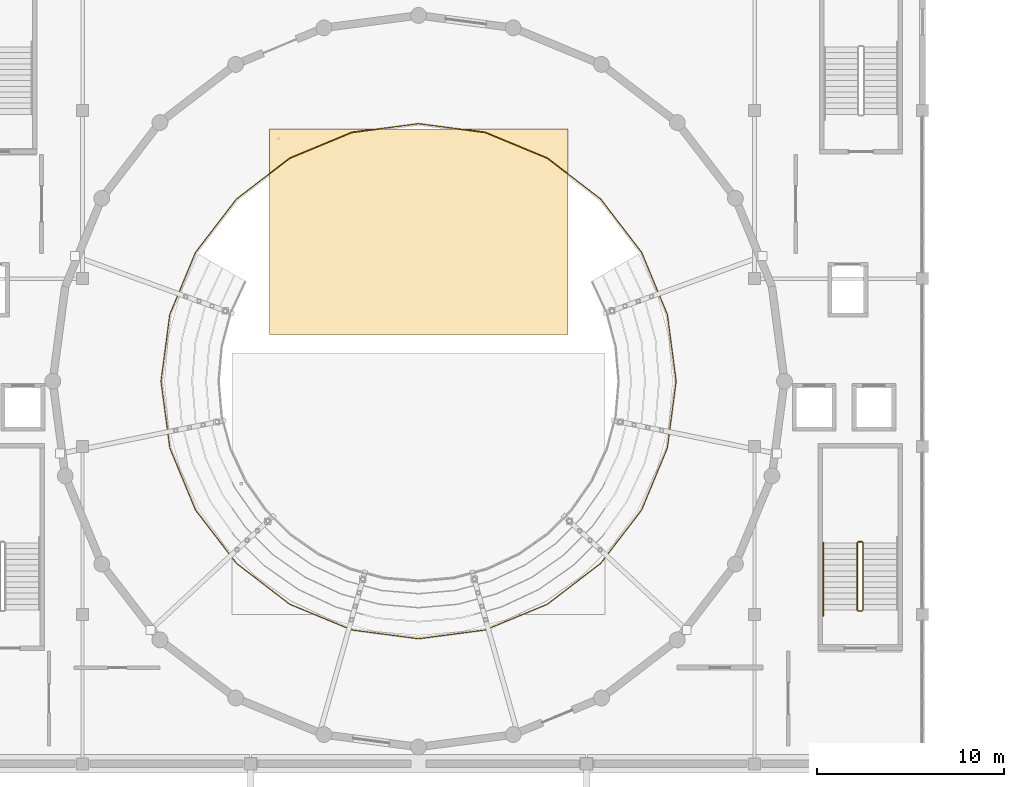
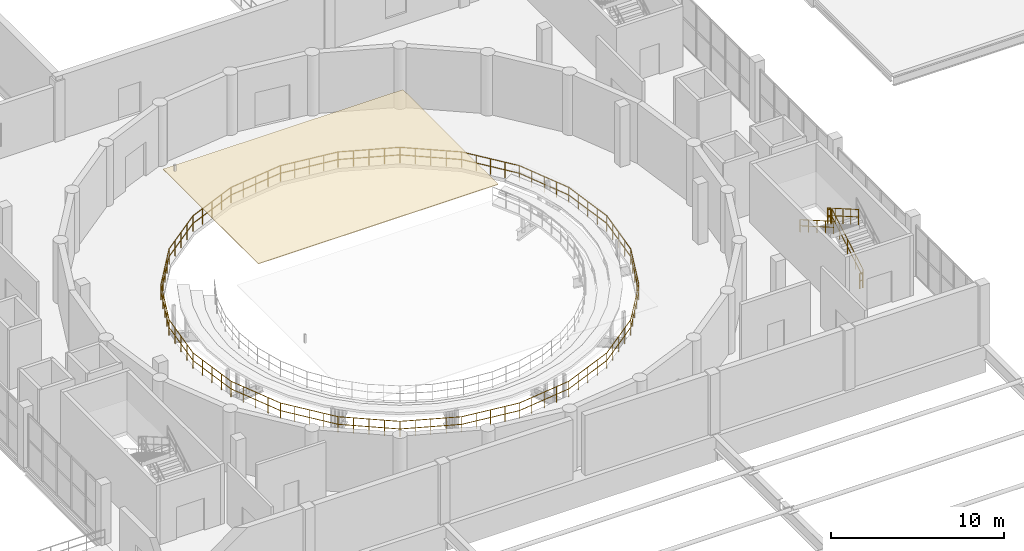
# One storey, part 50 of 54: 6 railings, 1 covering.
"""IFC4 building model written with IfcOpenShell, lengths in metres."""

from ifc_helpers import new_model, si_unit, direction, frame, origin, origin_2d, place, context, subcontext, project, spatial, polyline, circle, outline, extrude, material, layer, layer_set, type_object, element, save


model = new_model("IFC4")

# Units and contexts
model_context = context("Model", 3, precision=1e-05, world=origin(), true_north=direction((0.0, 1.0)))
body_context = subcontext(model_context, "Body", "Model", "MODEL_VIEW")
ifc_project = project(units=[si_unit("LENGTHUNIT", "METRE"), si_unit("AREAUNIT", "SQUARE_METRE"), si_unit("VOLUMEUNIT", "CUBIC_METRE"), si_unit("PLANEANGLEUNIT", "RADIAN"), si_unit("MASSUNIT", "GRAM", prefix="KILO")], contexts=[model_context])

# Site, building, storey
site_placement = place(None, origin())
site = spatial("IfcSite", under=ifc_project, at=site_placement, CompositionType="ELEMENT")
building_placement = place(site_placement, origin())
building = spatial("IfcBuilding", under=site, at=building_placement, Name="Marnock Terrace Opera House", CompositionType="ELEMENT")
storey_placement = place(building_placement, frame((0.0, 0.0, 19.199951171875)))
storey = spatial("IfcBuildingStorey", under=building, at=storey_placement, Name="L04", CompositionType="ELEMENT", Elevation=19.199951171875)

# Covering
ifc_material_1 = material(Name="Perforated Tasmanian oak acoustic ceiling reflector")
ifc_layer = layer(ifc_material_1, 0.044921875)
ifc_layer_set = layer_set([ifc_layer], Name="Perforated Tasmanian oak acoustic ceiling reflector")
covering_type = type_object("IfcCoveringType", Name="COV-CEIL-OAK", PredefinedType="CEILING", material=ifc_layer_set)
covering_placement = place(storey_placement, frame((0.0, 0.0, 3.800048828125)))
element("IfcCovering", 1, at=covering_placement, inside=storey, type_object=covering_type, Name="L04 acoustic reflector ceiling CLG-AUD-CLOUD2", PredefinedType="CEILING", context=body_context, shape_type="SweptSolid", body=[
    extrude(outline(polyline([(74.0, 63.0), (90.0, 63.0), (90.0, 74.0), (74.0, 74.0), (74.0, 63.0)])), origin(), (0.0, 0.0, 1.0), 0.044921875),
])

# Railings
ifc_material_2 = material(Name="Architectural bronze balustrade")
railing_type_1 = type_object("IfcRailingType", Name="RL-ATRIUM-1120", PredefinedType="BALUSTRADE", material=ifc_material_2)
railing_1_placement = place(storey_placement, frame((95.800048828125, 60.5, 0.0)))
element("IfcRailing", 2, at=railing_1_placement, inside=storey, type_object=railing_type_1, Name="L04 floor opening balustrade AUD-BOWL", PredefinedType="BALUSTRADE", context=body_context, shape_type="SweptSolid", body=[
    extrude(circle(Radius=0.02392578125, at=origin_2d()), frame((0.0, 0.0, 1.09619140625), z_axis=(-0.130445747989, 0.991455448738, 0.0), x_axis=(-0.991455448738, -0.130445747989, 0.0)), (0.0, 0.0, 1.0), 3.602783203125),
    extrude(circle(Radius=0.02392578125, at=origin_2d()), frame((0.0, 0.0, 0.56005859375), z_axis=(-0.130445747989, 0.991455448738, 0.0), x_axis=(-0.991455448738, -0.130445747989, 0.0)), (0.0, 0.0, 1.0), 3.602783203125),
    extrude(circle(Radius=0.02392578125, at=origin_2d()), frame((-0.469970703125, 3.572021484375, 1.09619140625), z_axis=(-0.382848577482, 0.92381110987, 0.0), x_axis=(-0.92381110987, -0.382848577482, 0.0)), (0.0, 0.0, 1.0), 3.602294921875),
    extrude(circle(Radius=0.02392578125, at=origin_2d()), frame((-0.469970703125, 3.572021484375, 0.56005859375), z_axis=(-0.382848577482, 0.92381110987, 0.0), x_axis=(-0.92381110987, -0.382848577482, 0.0)), (0.0, 0.0, 1.0), 3.602294921875),
    extrude(circle(Radius=0.02392578125, at=origin_2d()), frame((-1.84912109375, 6.89990234375, 1.09619140625), z_axis=(-0.608714632919, 0.793389246001, 0.0), x_axis=(-0.793389246001, -0.608714632919, 0.0)), (0.0, 0.0, 1.0), 3.6025390625),
    extrude(circle(Radius=0.02392578125, at=origin_2d()), frame((-1.84912109375, 6.89990234375, 0.56005859375), z_axis=(-0.608714632919, 0.793389246001, 0.0), x_axis=(-0.793389246001, -0.608714632919, 0.0)), (0.0, 0.0, 1.0), 3.6025390625),
    extrude(circle(Radius=0.02392578125, at=origin_2d()), frame((-4.0419921875, 9.758056640625, 1.09619140625), z_axis=(-0.793389246001, 0.608714632919, 0.0), x_axis=(-0.608714632919, -0.793389246001, 0.0)), (0.0, 0.0, 1.0), 3.6025390625),
    extrude(circle(Radius=0.02392578125, at=origin_2d()), frame((-4.0419921875, 9.758056640625, 0.56005859375), z_axis=(-0.793389246001, 0.608714632919, 0.0), x_axis=(-0.608714632919, -0.793389246001, 0.0)), (0.0, 0.0, 1.0), 3.6025390625),
    extrude(circle(Radius=0.02392578125, at=origin_2d()), frame((-6.900146484375, 11.950927734375, 1.09619140625), z_axis=(-0.92381110987, 0.382848577482, 0.0), x_axis=(-0.382848577482, -0.92381110987, 0.0)), (0.0, 0.0, 1.0), 3.602294921875),
    extrude(circle(Radius=0.02392578125, at=origin_2d()), frame((-6.900146484375, 11.950927734375, 0.56005859375), z_axis=(-0.92381110987, 0.382848577482, 0.0), x_axis=(-0.382848577482, -0.92381110987, 0.0)), (0.0, 0.0, 1.0), 3.602294921875),
    extrude(circle(Radius=0.02392578125, at=origin_2d()), frame((-10.22802734375, 13.330078125, 1.09619140625), z_axis=(-0.991455448738, 0.130445747989, 0.0), x_axis=(-0.130445747989, -0.991455448738, 0.0)), (0.0, 0.0, 1.0), 3.602783203125),
    extrude(circle(Radius=0.02392578125, at=origin_2d()), frame((-10.22802734375, 13.330078125, 0.56005859375), z_axis=(-0.991455448738, 0.130445747989, 0.0), x_axis=(-0.130445747989, -0.991455448738, 0.0)), (0.0, 0.0, 1.0), 3.602783203125),
    extrude(circle(Radius=0.02392578125, at=origin_2d()), frame((-13.800048828125, 13.800048828125, 1.09619140625), z_axis=(-0.991455448738, -0.130445747989, 0.0), x_axis=(0.130445747989, -0.991455448738, 0.0)), (0.0, 0.0, 1.0), 3.602783203125),
    extrude(circle(Radius=0.02392578125, at=origin_2d()), frame((-13.800048828125, 13.800048828125, 0.56005859375), z_axis=(-0.991455448738, -0.130445747989, 0.0), x_axis=(0.130445747989, -0.991455448738, 0.0)), (0.0, 0.0, 1.0), 3.602783203125),
    extrude(circle(Radius=0.02392578125, at=origin_2d()), frame((-17.3720703125, 13.330078125, 1.09619140625), z_axis=(-0.92381110987, -0.382848577482, 0.0), x_axis=(0.382848577482, -0.92381110987, 0.0)), (0.0, 0.0, 1.0), 3.602294921875),
    extrude(circle(Radius=0.02392578125, at=origin_2d()), frame((-17.3720703125, 13.330078125, 0.56005859375), z_axis=(-0.92381110987, -0.382848577482, 0.0), x_axis=(0.382848577482, -0.92381110987, 0.0)), (0.0, 0.0, 1.0), 3.602294921875),
    extrude(circle(Radius=0.02392578125, at=origin_2d()), frame((-20.699951171875, 11.950927734375, 1.09619140625), z_axis=(-0.793389246001, -0.608714632919, 0.0), x_axis=(0.608714632919, -0.793389246001, 0.0)), (0.0, 0.0, 1.0), 3.6025390625),
    extrude(circle(Radius=0.02392578125, at=origin_2d()), frame((-20.699951171875, 11.950927734375, 0.56005859375), z_axis=(-0.793389246001, -0.608714632919, 0.0), x_axis=(0.608714632919, -0.793389246001, 0.0)), (0.0, 0.0, 1.0), 3.6025390625),
    extrude(circle(Radius=0.02392578125, at=origin_2d()), frame((-23.55810546875, 9.758056640625, 1.09619140625), z_axis=(-0.608714632919, -0.793389246001, 0.0), x_axis=(0.793389246001, -0.608714632919, 0.0)), (0.0, 0.0, 1.0), 3.6025390625),
    extrude(circle(Radius=0.02392578125, at=origin_2d()), frame((-23.55810546875, 9.758056640625, 0.56005859375), z_axis=(-0.608714632919, -0.793389246001, 0.0), x_axis=(0.793389246001, -0.608714632919, 0.0)), (0.0, 0.0, 1.0), 3.6025390625),
    extrude(circle(Radius=0.02392578125, at=origin_2d()), frame((-25.7509765625, 6.89990234375, 1.09619140625), z_axis=(-0.382848577482, -0.92381110987, 0.0), x_axis=(0.92381110987, -0.382848577482, 0.0)), (0.0, 0.0, 1.0), 3.602294921875),
    extrude(circle(Radius=0.02392578125, at=origin_2d()), frame((-25.7509765625, 6.89990234375, 0.56005859375), z_axis=(-0.382848577482, -0.92381110987, 0.0), x_axis=(0.92381110987, -0.382848577482, 0.0)), (0.0, 0.0, 1.0), 3.602294921875),
    extrude(circle(Radius=0.02392578125, at=origin_2d()), frame((-27.130126953125, 3.572021484375, 1.09619140625), z_axis=(-0.130445747989, -0.991455448738, 0.0), x_axis=(0.991455448738, -0.130445747989, 0.0)), (0.0, 0.0, 1.0), 3.602783203125),
    extrude(circle(Radius=0.02392578125, at=origin_2d()), frame((-27.130126953125, 3.572021484375, 0.56005859375), z_axis=(-0.130445747989, -0.991455448738, 0.0), x_axis=(0.991455448738, -0.130445747989, 0.0)), (0.0, 0.0, 1.0), 3.602783203125),
    extrude(circle(Radius=0.02392578125, at=origin_2d()), frame((-27.60009765625, 0.0, 1.09619140625), z_axis=(0.130445747989, -0.991455448738, 0.0), x_axis=(0.991455448738, 0.130445747989, 0.0)), (0.0, 0.0, 1.0), 3.602783203125),
    extrude(circle(Radius=0.02392578125, at=origin_2d()), frame((-27.60009765625, 0.0, 0.56005859375), z_axis=(0.130445747989, -0.991455448738, 0.0), x_axis=(0.991455448738, 0.130445747989, 0.0)), (0.0, 0.0, 1.0), 3.602783203125),
    extrude(circle(Radius=0.02392578125, at=origin_2d()), frame((-27.130126953125, -3.572021484375, 1.09619140625), z_axis=(0.382848577482, -0.92381110987, 0.0), x_axis=(0.92381110987, 0.382848577482, 0.0)), (0.0, 0.0, 1.0), 3.602294921875),
    extrude(circle(Radius=0.02392578125, at=origin_2d()), frame((-27.130126953125, -3.572021484375, 0.56005859375), z_axis=(0.382848577482, -0.92381110987, 0.0), x_axis=(0.92381110987, 0.382848577482, 0.0)), (0.0, 0.0, 1.0), 3.602294921875),
    extrude(circle(Radius=0.02392578125, at=origin_2d()), frame((-25.7509765625, -6.89990234375, 1.09619140625), z_axis=(0.608714632919, -0.793389246001, 0.0), x_axis=(0.793389246001, 0.608714632919, 0.0)), (0.0, 0.0, 1.0), 3.6025390625),
    extrude(circle(Radius=0.02392578125, at=origin_2d()), frame((-25.7509765625, -6.89990234375, 0.56005859375), z_axis=(0.608714632919, -0.793389246001, 0.0), x_axis=(0.793389246001, 0.608714632919, 0.0)), (0.0, 0.0, 1.0), 3.6025390625),
    extrude(circle(Radius=0.02392578125, at=origin_2d()), frame((-23.55810546875, -9.758056640625, 1.09619140625), z_axis=(0.793389246001, -0.608714632919, 0.0), x_axis=(0.608714632919, 0.793389246001, 0.0)), (0.0, 0.0, 1.0), 3.6025390625),
    extrude(circle(Radius=0.02392578125, at=origin_2d()), frame((-23.55810546875, -9.758056640625, 0.56005859375), z_axis=(0.793389246001, -0.608714632919, 0.0), x_axis=(0.608714632919, 0.793389246001, 0.0)), (0.0, 0.0, 1.0), 3.6025390625),
    extrude(circle(Radius=0.02392578125, at=origin_2d()), frame((-20.699951171875, -11.950927734375, 1.09619140625), z_axis=(0.92381110987, -0.382848577482, 0.0), x_axis=(0.382848577482, 0.92381110987, 0.0)), (0.0, 0.0, 1.0), 3.602294921875),
    extrude(circle(Radius=0.02392578125, at=origin_2d()), frame((-20.699951171875, -11.950927734375, 0.56005859375), z_axis=(0.92381110987, -0.382848577482, 0.0), x_axis=(0.382848577482, 0.92381110987, 0.0)), (0.0, 0.0, 1.0), 3.602294921875),
    extrude(circle(Radius=0.02392578125, at=origin_2d()), frame((-17.3720703125, -13.330078125, 1.09619140625), z_axis=(0.991455448738, -0.130445747989, 0.0), x_axis=(0.130445747989, 0.991455448738, 0.0)), (0.0, 0.0, 1.0), 3.602783203125),
    extrude(circle(Radius=0.02392578125, at=origin_2d()), frame((-17.3720703125, -13.330078125, 0.56005859375), z_axis=(0.991455448738, -0.130445747989, 0.0), x_axis=(0.130445747989, 0.991455448738, 0.0)), (0.0, 0.0, 1.0), 3.602783203125),
    extrude(circle(Radius=0.02392578125, at=origin_2d()), frame((-13.800048828125, -13.800048828125, 1.09619140625), z_axis=(0.991455448738, 0.130445747989, 0.0), x_axis=(-0.130445747989, 0.991455448738, 0.0)), (0.0, 0.0, 1.0), 3.602783203125),
    extrude(circle(Radius=0.02392578125, at=origin_2d()), frame((-13.800048828125, -13.800048828125, 0.56005859375), z_axis=(0.991455448738, 0.130445747989, 0.0), x_axis=(-0.130445747989, 0.991455448738, 0.0)), (0.0, 0.0, 1.0), 3.602783203125),
    extrude(circle(Radius=0.02392578125, at=origin_2d()), frame((-10.22802734375, -13.330078125, 1.09619140625), z_axis=(0.92381110987, 0.382848577482, 0.0), x_axis=(-0.382848577482, 0.92381110987, 0.0)), (0.0, 0.0, 1.0), 3.602294921875),
    extrude(circle(Radius=0.02392578125, at=origin_2d()), frame((-10.22802734375, -13.330078125, 0.56005859375), z_axis=(0.92381110987, 0.382848577482, 0.0), x_axis=(-0.382848577482, 0.92381110987, 0.0)), (0.0, 0.0, 1.0), 3.602294921875),
    extrude(circle(Radius=0.02392578125, at=origin_2d()), frame((-6.900146484375, -11.950927734375, 1.09619140625), z_axis=(0.793389246001, 0.608714632919, 0.0), x_axis=(-0.608714632919, 0.793389246001, 0.0)), (0.0, 0.0, 1.0), 3.6025390625),
    extrude(circle(Radius=0.02392578125, at=origin_2d()), frame((-6.900146484375, -11.950927734375, 0.56005859375), z_axis=(0.793389246001, 0.608714632919, 0.0), x_axis=(-0.608714632919, 0.793389246001, 0.0)), (0.0, 0.0, 1.0), 3.6025390625),
    extrude(circle(Radius=0.02392578125, at=origin_2d()), frame((-4.0419921875, -9.758056640625, 1.09619140625), z_axis=(0.608714632919, 0.793389246001, 0.0), x_axis=(-0.793389246001, 0.608714632919, 0.0)), (0.0, 0.0, 1.0), 3.6025390625),
    extrude(circle(Radius=0.02392578125, at=origin_2d()), frame((-4.0419921875, -9.758056640625, 0.56005859375), z_axis=(0.608714632919, 0.793389246001, 0.0), x_axis=(-0.793389246001, 0.608714632919, 0.0)), (0.0, 0.0, 1.0), 3.6025390625),
    extrude(circle(Radius=0.02392578125, at=origin_2d()), frame((-1.84912109375, -6.89990234375, 1.09619140625), z_axis=(0.382848577482, 0.92381110987, 0.0), x_axis=(-0.92381110987, 0.382848577482, 0.0)), (0.0, 0.0, 1.0), 3.602294921875),
    extrude(circle(Radius=0.02392578125, at=origin_2d()), frame((-1.84912109375, -6.89990234375, 0.56005859375), z_axis=(0.382848577482, 0.92381110987, 0.0), x_axis=(-0.92381110987, 0.382848577482, 0.0)), (0.0, 0.0, 1.0), 3.602294921875),
    extrude(circle(Radius=0.02392578125, at=origin_2d()), frame((-0.469970703125, -3.572021484375, 1.09619140625), z_axis=(0.130445747989, 0.991455448738, 0.0), x_axis=(-0.991455448738, 0.130445747989, 0.0)), (0.0, 0.0, 1.0), 3.602783203125),
    extrude(circle(Radius=0.02392578125, at=origin_2d()), frame((-0.469970703125, -3.572021484375, 0.56005859375), z_axis=(0.130445747989, 0.991455448738, 0.0), x_axis=(-0.991455448738, 0.130445747989, 0.0)), (0.0, 0.0, 1.0), 3.602783203125),
    extrude(circle(Radius=0.02099609375, at=origin_2d()), origin(), (0.0, 0.0, 1.0), 1.072021484375),
    extrude(circle(Radius=0.02099609375, at=origin_2d()), frame((-0.117431640625, 0.89306640625, 0.0)), (0.0, 0.0, 1.0), 1.072021484375),
    extrude(circle(Radius=0.02099609375, at=origin_2d()), frame((-0.23486328125, 1.7861328125, 0.0)), (0.0, 0.0, 1.0), 1.072021484375),
    extrude(circle(Radius=0.02099609375, at=origin_2d()), frame((-0.3525390625, 2.678955078125, 0.0)), (0.0, 0.0, 1.0), 1.072021484375),
    extrude(circle(Radius=0.02099609375, at=origin_2d()), frame((-0.469970703125, 3.572021484375, 0.0)), (0.0, 0.0, 1.0), 1.072021484375),
    extrude(circle(Radius=0.02099609375, at=origin_2d()), frame((-0.814697265625, 4.404052734375, 0.0)), (0.0, 0.0, 1.0), 1.072021484375),
    extrude(circle(Radius=0.02099609375, at=origin_2d()), frame((-1.15966796875, 5.23583984375, 0.0)), (0.0, 0.0, 1.0), 1.072021484375),
    extrude(circle(Radius=0.02099609375, at=origin_2d()), frame((-1.50439453125, 6.06787109375, 0.0)), (0.0, 0.0, 1.0), 1.072021484375),
    extrude(circle(Radius=0.02099609375, at=origin_2d()), frame((-1.84912109375, 6.89990234375, 0.0)), (0.0, 0.0, 1.0), 1.072021484375),
    extrude(circle(Radius=0.02099609375, at=origin_2d()), frame((-2.3974609375, 7.614501953125, 0.0)), (0.0, 0.0, 1.0), 1.072021484375),
    extrude(circle(Radius=0.02099609375, at=origin_2d()), frame((-2.945556640625, 8.3291015625, 0.0)), (0.0, 0.0, 1.0), 1.072021484375),
    extrude(circle(Radius=0.02099609375, at=origin_2d()), frame((-3.49365234375, 9.04345703125, 0.0)), (0.0, 0.0, 1.0), 1.072021484375),
    extrude(circle(Radius=0.02099609375, at=origin_2d()), frame((-4.0419921875, 9.758056640625, 0.0)), (0.0, 0.0, 1.0), 1.072021484375),
    extrude(circle(Radius=0.02099609375, at=origin_2d()), frame((-4.756591796875, 10.30615234375, 0.0)), (0.0, 0.0, 1.0), 1.072021484375),
    extrude(circle(Radius=0.02099609375, at=origin_2d()), frame((-5.47119140625, 10.8544921875, 0.0)), (0.0, 0.0, 1.0), 1.072021484375),
    extrude(circle(Radius=0.02099609375, at=origin_2d()), frame((-6.185546875, 11.40283203125, 0.0)), (0.0, 0.0, 1.0), 1.072021484375),
    extrude(circle(Radius=0.02099609375, at=origin_2d()), frame((-6.900146484375, 11.950927734375, 0.0)), (0.0, 0.0, 1.0), 1.072021484375),
    extrude(circle(Radius=0.02099609375, at=origin_2d()), frame((-7.732177734375, 12.295654296875, 0.0)), (0.0, 0.0, 1.0), 1.072021484375),
    extrude(circle(Radius=0.02099609375, at=origin_2d()), frame((-8.56396484375, 12.640625, 0.0)), (0.0, 0.0, 1.0), 1.072021484375),
    extrude(circle(Radius=0.02099609375, at=origin_2d()), frame((-9.39599609375, 12.9853515625, 0.0)), (0.0, 0.0, 1.0), 1.072021484375),
    extrude(circle(Radius=0.02099609375, at=origin_2d()), frame((-10.22802734375, 13.330078125, 0.0)), (0.0, 0.0, 1.0), 1.072021484375),
    extrude(circle(Radius=0.02099609375, at=origin_2d()), frame((-11.12109375, 13.447509765625, 0.0)), (0.0, 0.0, 1.0), 1.072021484375),
    extrude(circle(Radius=0.02099609375, at=origin_2d()), frame((-12.01416015625, 13.56494140625, 0.0)), (0.0, 0.0, 1.0), 1.072021484375),
    extrude(circle(Radius=0.02099609375, at=origin_2d()), frame((-12.906982421875, 13.6826171875, 0.0)), (0.0, 0.0, 1.0), 1.072021484375),
    extrude(circle(Radius=0.02099609375, at=origin_2d()), frame((-13.800048828125, 13.800048828125, 0.0)), (0.0, 0.0, 1.0), 1.072021484375),
    extrude(circle(Radius=0.02099609375, at=origin_2d()), frame((-14.693115234375, 13.6826171875, 0.0)), (0.0, 0.0, 1.0), 1.072021484375),
    extrude(circle(Radius=0.02099609375, at=origin_2d()), frame((-15.5859375, 13.56494140625, 0.0)), (0.0, 0.0, 1.0), 1.072021484375),
    extrude(circle(Radius=0.02099609375, at=origin_2d()), frame((-16.47900390625, 13.447509765625, 0.0)), (0.0, 0.0, 1.0), 1.072021484375),
    extrude(circle(Radius=0.02099609375, at=origin_2d()), frame((-17.3720703125, 13.330078125, 0.0)), (0.0, 0.0, 1.0), 1.072021484375),
    extrude(circle(Radius=0.02099609375, at=origin_2d()), frame((-18.2041015625, 12.9853515625, 0.0)), (0.0, 0.0, 1.0), 1.072021484375),
    extrude(circle(Radius=0.02099609375, at=origin_2d()), frame((-19.0361328125, 12.640625, 0.0)), (0.0, 0.0, 1.0), 1.072021484375),
    extrude(circle(Radius=0.02099609375, at=origin_2d()), frame((-19.867919921875, 12.295654296875, 0.0)), (0.0, 0.0, 1.0), 1.072021484375),
    extrude(circle(Radius=0.02099609375, at=origin_2d()), frame((-20.699951171875, 11.950927734375, 0.0)), (0.0, 0.0, 1.0), 1.072021484375),
    extrude(circle(Radius=0.02099609375, at=origin_2d()), frame((-21.41455078125, 11.40283203125, 0.0)), (0.0, 0.0, 1.0), 1.072021484375),
    extrude(circle(Radius=0.02099609375, at=origin_2d()), frame((-22.12890625, 10.8544921875, 0.0)), (0.0, 0.0, 1.0), 1.072021484375),
    extrude(circle(Radius=0.02099609375, at=origin_2d()), frame((-22.843505859375, 10.30615234375, 0.0)), (0.0, 0.0, 1.0), 1.072021484375),
    extrude(circle(Radius=0.02099609375, at=origin_2d()), frame((-23.55810546875, 9.758056640625, 0.0)), (0.0, 0.0, 1.0), 1.072021484375),
    extrude(circle(Radius=0.02099609375, at=origin_2d()), frame((-24.1064453125, 9.04345703125, 0.0)), (0.0, 0.0, 1.0), 1.072021484375),
    extrude(circle(Radius=0.02099609375, at=origin_2d()), frame((-24.654541015625, 8.3291015625, 0.0)), (0.0, 0.0, 1.0), 1.072021484375),
    extrude(circle(Radius=0.02099609375, at=origin_2d()), frame((-25.20263671875, 7.614501953125, 0.0)), (0.0, 0.0, 1.0), 1.072021484375),
    extrude(circle(Radius=0.02099609375, at=origin_2d()), frame((-25.7509765625, 6.89990234375, 0.0)), (0.0, 0.0, 1.0), 1.072021484375),
    extrude(circle(Radius=0.02099609375, at=origin_2d()), frame((-26.095703125, 6.06787109375, 0.0)), (0.0, 0.0, 1.0), 1.072021484375),
    extrude(circle(Radius=0.02099609375, at=origin_2d()), frame((-26.4404296875, 5.23583984375, 0.0)), (0.0, 0.0, 1.0), 1.072021484375),
    extrude(circle(Radius=0.02099609375, at=origin_2d()), frame((-26.785400390625, 4.404052734375, 0.0)), (0.0, 0.0, 1.0), 1.072021484375),
    extrude(circle(Radius=0.02099609375, at=origin_2d()), frame((-27.130126953125, 3.572021484375, 0.0)), (0.0, 0.0, 1.0), 1.072021484375),
    extrude(circle(Radius=0.02099609375, at=origin_2d()), frame((-27.24755859375, 2.678955078125, 0.0)), (0.0, 0.0, 1.0), 1.072021484375),
    extrude(circle(Radius=0.02099609375, at=origin_2d()), frame((-27.365234375, 1.7861328125, 0.0)), (0.0, 0.0, 1.0), 1.072021484375),
    extrude(circle(Radius=0.02099609375, at=origin_2d()), frame((-27.482666015625, 0.89306640625, 0.0)), (0.0, 0.0, 1.0), 1.072021484375),
    extrude(circle(Radius=0.02099609375, at=origin_2d()), frame((-27.60009765625, 0.0, 0.0)), (0.0, 0.0, 1.0), 1.072021484375),
    extrude(circle(Radius=0.02099609375, at=origin_2d()), frame((-27.482666015625, -0.89306640625, 0.0)), (0.0, 0.0, 1.0), 1.072021484375),
    extrude(circle(Radius=0.02099609375, at=origin_2d()), frame((-27.365234375, -1.7861328125, 0.0)), (0.0, 0.0, 1.0), 1.072021484375),
    extrude(circle(Radius=0.02099609375, at=origin_2d()), frame((-27.24755859375, -2.678955078125, 0.0)), (0.0, 0.0, 1.0), 1.072021484375),
    extrude(circle(Radius=0.02099609375, at=origin_2d()), frame((-27.130126953125, -3.572021484375, 0.0)), (0.0, 0.0, 1.0), 1.072021484375),
    extrude(circle(Radius=0.02099609375, at=origin_2d()), frame((-26.785400390625, -4.404052734375, 0.0)), (0.0, 0.0, 1.0), 1.072021484375),
    extrude(circle(Radius=0.02099609375, at=origin_2d()), frame((-26.4404296875, -5.23583984375, 0.0)), (0.0, 0.0, 1.0), 1.072021484375),
    extrude(circle(Radius=0.02099609375, at=origin_2d()), frame((-26.095703125, -6.06787109375, 0.0)), (0.0, 0.0, 1.0), 1.072021484375),
    extrude(circle(Radius=0.02099609375, at=origin_2d()), frame((-25.7509765625, -6.89990234375, 0.0)), (0.0, 0.0, 1.0), 1.072021484375),
    extrude(circle(Radius=0.02099609375, at=origin_2d()), frame((-25.20263671875, -7.614501953125, 0.0)), (0.0, 0.0, 1.0), 1.072021484375),
    extrude(circle(Radius=0.02099609375, at=origin_2d()), frame((-24.654541015625, -8.3291015625, 0.0)), (0.0, 0.0, 1.0), 1.072021484375),
    extrude(circle(Radius=0.02099609375, at=origin_2d()), frame((-24.1064453125, -9.04345703125, 0.0)), (0.0, 0.0, 1.0), 1.072021484375),
    extrude(circle(Radius=0.02099609375, at=origin_2d()), frame((-23.55810546875, -9.758056640625, 0.0)), (0.0, 0.0, 1.0), 1.072021484375),
    extrude(circle(Radius=0.02099609375, at=origin_2d()), frame((-22.843505859375, -10.30615234375, 0.0)), (0.0, 0.0, 1.0), 1.072021484375),
    extrude(circle(Radius=0.02099609375, at=origin_2d()), frame((-22.12890625, -10.8544921875, 0.0)), (0.0, 0.0, 1.0), 1.072021484375),
    extrude(circle(Radius=0.02099609375, at=origin_2d()), frame((-21.41455078125, -11.40283203125, 0.0)), (0.0, 0.0, 1.0), 1.072021484375),
    extrude(circle(Radius=0.02099609375, at=origin_2d()), frame((-20.699951171875, -11.950927734375, 0.0)), (0.0, 0.0, 1.0), 1.072021484375),
    extrude(circle(Radius=0.02099609375, at=origin_2d()), frame((-19.867919921875, -12.295654296875, 0.0)), (0.0, 0.0, 1.0), 1.072021484375),
    extrude(circle(Radius=0.02099609375, at=origin_2d()), frame((-19.0361328125, -12.640625, 0.0)), (0.0, 0.0, 1.0), 1.072021484375),
    extrude(circle(Radius=0.02099609375, at=origin_2d()), frame((-18.2041015625, -12.9853515625, 0.0)), (0.0, 0.0, 1.0), 1.072021484375),
    extrude(circle(Radius=0.02099609375, at=origin_2d()), frame((-17.3720703125, -13.330078125, 0.0)), (0.0, 0.0, 1.0), 1.072021484375),
    extrude(circle(Radius=0.02099609375, at=origin_2d()), frame((-16.47900390625, -13.447509765625, 0.0)), (0.0, 0.0, 1.0), 1.072021484375),
    extrude(circle(Radius=0.02099609375, at=origin_2d()), frame((-15.5859375, -13.56494140625, 0.0)), (0.0, 0.0, 1.0), 1.072021484375),
    extrude(circle(Radius=0.02099609375, at=origin_2d()), frame((-14.693115234375, -13.6826171875, 0.0)), (0.0, 0.0, 1.0), 1.072021484375),
    extrude(circle(Radius=0.02099609375, at=origin_2d()), frame((-13.800048828125, -13.800048828125, 0.0)), (0.0, 0.0, 1.0), 1.072021484375),
    extrude(circle(Radius=0.02099609375, at=origin_2d()), frame((-12.906982421875, -13.6826171875, 0.0)), (0.0, 0.0, 1.0), 1.072021484375),
    extrude(circle(Radius=0.02099609375, at=origin_2d()), frame((-12.01416015625, -13.56494140625, 0.0)), (0.0, 0.0, 1.0), 1.072021484375),
    extrude(circle(Radius=0.02099609375, at=origin_2d()), frame((-11.12109375, -13.447509765625, 0.0)), (0.0, 0.0, 1.0), 1.072021484375),
    extrude(circle(Radius=0.02099609375, at=origin_2d()), frame((-10.22802734375, -13.330078125, 0.0)), (0.0, 0.0, 1.0), 1.072021484375),
    extrude(circle(Radius=0.02099609375, at=origin_2d()), frame((-9.39599609375, -12.9853515625, 0.0)), (0.0, 0.0, 1.0), 1.072021484375),
    extrude(circle(Radius=0.02099609375, at=origin_2d()), frame((-8.56396484375, -12.640625, 0.0)), (0.0, 0.0, 1.0), 1.072021484375),
    extrude(circle(Radius=0.02099609375, at=origin_2d()), frame((-7.732177734375, -12.295654296875, 0.0)), (0.0, 0.0, 1.0), 1.072021484375),
    extrude(circle(Radius=0.02099609375, at=origin_2d()), frame((-6.900146484375, -11.950927734375, 0.0)), (0.0, 0.0, 1.0), 1.072021484375),
    extrude(circle(Radius=0.02099609375, at=origin_2d()), frame((-6.185546875, -11.40283203125, 0.0)), (0.0, 0.0, 1.0), 1.072021484375),
    extrude(circle(Radius=0.02099609375, at=origin_2d()), frame((-5.47119140625, -10.8544921875, 0.0)), (0.0, 0.0, 1.0), 1.072021484375),
    extrude(circle(Radius=0.02099609375, at=origin_2d()), frame((-4.756591796875, -10.30615234375, 0.0)), (0.0, 0.0, 1.0), 1.072021484375),
    extrude(circle(Radius=0.02099609375, at=origin_2d()), frame((-4.0419921875, -9.758056640625, 0.0)), (0.0, 0.0, 1.0), 1.072021484375),
    extrude(circle(Radius=0.02099609375, at=origin_2d()), frame((-3.49365234375, -9.04345703125, 0.0)), (0.0, 0.0, 1.0), 1.072021484375),
    extrude(circle(Radius=0.02099609375, at=origin_2d()), frame((-2.945556640625, -8.3291015625, 0.0)), (0.0, 0.0, 1.0), 1.072021484375),
    extrude(circle(Radius=0.02099609375, at=origin_2d()), frame((-2.3974609375, -7.614501953125, 0.0)), (0.0, 0.0, 1.0), 1.072021484375),
    extrude(circle(Radius=0.02099609375, at=origin_2d()), frame((-1.84912109375, -6.89990234375, 0.0)), (0.0, 0.0, 1.0), 1.072021484375),
    extrude(circle(Radius=0.02099609375, at=origin_2d()), frame((-1.50439453125, -6.06787109375, 0.0)), (0.0, 0.0, 1.0), 1.072021484375),
    extrude(circle(Radius=0.02099609375, at=origin_2d()), frame((-1.15966796875, -5.23583984375, 0.0)), (0.0, 0.0, 1.0), 1.072021484375),
    extrude(circle(Radius=0.02099609375, at=origin_2d()), frame((-0.814697265625, -4.404052734375, 0.0)), (0.0, 0.0, 1.0), 1.072021484375),
    extrude(circle(Radius=0.02099609375, at=origin_2d()), frame((-0.469970703125, -3.572021484375, 0.0)), (0.0, 0.0, 1.0), 1.072021484375),
    extrude(circle(Radius=0.02099609375, at=origin_2d()), frame((-0.3525390625, -2.678955078125, 0.0)), (0.0, 0.0, 1.0), 1.072021484375),
    extrude(circle(Radius=0.02099609375, at=origin_2d()), frame((-0.23486328125, -1.7861328125, 0.0)), (0.0, 0.0, 1.0), 1.072021484375),
    extrude(circle(Radius=0.02099609375, at=origin_2d()), frame((-0.117431640625, -0.89306640625, 0.0)), (0.0, 0.0, 1.0), 1.072021484375),
])
railing_type_2 = type_object("IfcRailingType", Name="RL-GUARD-1100", PredefinedType="GUARDRAIL", material=ifc_material_2)
railing_2_placement = place(storey_placement, frame((105.81005859375, 48.239990234375, 0.173095703125)))
element("IfcRailing", 3, at=railing_2_placement, inside=storey, type_object=railing_type_2, Name="L04 ST-02 stair guard 1", PredefinedType="GUARDRAIL", context=body_context, shape_type="SweptSolid", body=[
    extrude(circle(Radius=0.02392578125, at=origin_2d()), frame((0.0, 0.0, 1.076171875), z_axis=(0.0, 0.866193409371, 0.499708892819), x_axis=(-1.0, 0.0, 0.0)), (0.0, 0.0, 1.0), 4.15625),
    extrude(circle(Radius=0.02392578125, at=origin_2d()), frame((0.0, 0.0, 0.550048828125), z_axis=(0.0, 0.866193409371, 0.499708892819), x_axis=(-1.0, 0.0, 0.0)), (0.0, 0.0, 1.0), 4.15625),
    extrude(circle(Radius=0.02099609375, at=origin_2d()), origin(), (0.0, 0.0, 1.0), 1.052001953125),
    extrude(circle(Radius=0.02099609375, at=origin_2d()), frame((0.0, 0.89990234375, 0.519287109375)), (0.0, 0.0, 1.0), 1.052001953125),
    extrude(circle(Radius=0.02099609375, at=origin_2d()), frame((0.0, 1.800048828125, 1.03857421875)), (0.0, 0.0, 1.0), 1.052001953125),
    extrude(circle(Radius=0.02099609375, at=origin_2d()), frame((0.0, 2.7001953125, 1.5576171875)), (0.0, 0.0, 1.0), 1.052001953125),
    extrude(circle(Radius=0.02099609375, at=origin_2d()), frame((0.0, 3.60009765625, 2.076904296875)), (0.0, 0.0, 1.0), 1.052001953125),
])
railing_3_placement = place(storey_placement, frame((105.760009765625, 51.889892578125, 2.25)))
element("IfcRailing", 4, at=railing_3_placement, inside=storey, type_object=railing_type_2, Name="L04 ST-02 stair guard 2", PredefinedType="GUARDRAIL", context=body_context, shape_type="SweptSolid", body=[
    extrude(circle(Radius=0.02392578125, at=origin_2d()), frame((0.0, 0.0, 1.076171875), z_axis=(-1.0, 0.0, 0.0), x_axis=(0.0, -1.0, 0.0)), (0.0, 0.0, 1.0), 0.199951171875),
    extrude(circle(Radius=0.02392578125, at=origin_2d()), frame((0.0, 0.0, 0.550048828125), z_axis=(-1.0, 0.0, 0.0), x_axis=(0.0, -1.0, 0.0)), (0.0, 0.0, 1.0), 0.199951171875),
    extrude(circle(Radius=0.02099609375, at=origin_2d()), origin(), (0.0, 0.0, 1.0), 1.052001953125),
    extrude(circle(Radius=0.02099609375, at=origin_2d()), frame((-0.199951171875, 0.0, 0.0)), (0.0, 0.0, 1.0), 1.052001953125),
])
railing_4_placement = place(storey_placement, frame((105.510009765625, 51.840087890625, 2.423095703125)))
element("IfcRailing", 5, at=railing_4_placement, inside=storey, type_object=railing_type_2, Name="L04 ST-02 stair guard 3", PredefinedType="GUARDRAIL", context=body_context, shape_type="SweptSolid", body=[
    extrude(circle(Radius=0.02392578125, at=origin_2d()), frame((0.0, 0.0, 1.076171875), z_axis=(0.0, -0.866193409371, 0.499708892819), x_axis=(1.0, 0.0, 0.0)), (0.0, 0.0, 1.0), 4.15625),
    extrude(circle(Radius=0.02392578125, at=origin_2d()), frame((0.0, 0.0, 0.550048828125), z_axis=(0.0, -0.866193409371, 0.499708892819), x_axis=(1.0, 0.0, 0.0)), (0.0, 0.0, 1.0), 4.15625),
    extrude(circle(Radius=0.02099609375, at=origin_2d()), origin(), (0.0, 0.0, 1.0), 1.052001953125),
    extrude(circle(Radius=0.02099609375, at=origin_2d()), frame((0.0, -0.89990234375, 0.519287109375)), (0.0, 0.0, 1.0), 1.052001953125),
    extrude(circle(Radius=0.02099609375, at=origin_2d()), frame((0.0, -1.800048828125, 1.03857421875)), (0.0, 0.0, 1.0), 1.052001953125),
    extrude(circle(Radius=0.02099609375, at=origin_2d()), frame((0.0, -2.7001953125, 1.5576171875)), (0.0, 0.0, 1.0), 1.052001953125),
    extrude(circle(Radius=0.02099609375, at=origin_2d()), frame((0.0, -3.60009765625, 2.076904296875)), (0.0, 0.0, 1.0), 1.052001953125),
])
railing_5_placement = place(storey_placement, frame((105.760009765625, 48.18994140625, 0.0)))
element("IfcRailing", 6, at=railing_5_placement, inside=storey, type_object=railing_type_2, Name="L04 ST-02 stair guard 4", PredefinedType="GUARDRAIL", context=body_context, shape_type="SweptSolid", body=[
    extrude(circle(Radius=0.02392578125, at=origin_2d()), frame((0.0, 0.0, 1.076171875), z_axis=(-1.0, 0.0, 0.0), x_axis=(0.0, -1.0, 0.0)), (0.0, 0.0, 1.0), 0.199951171875),
    extrude(circle(Radius=0.02392578125, at=origin_2d()), frame((0.0, 0.0, 0.550048828125), z_axis=(-1.0, 0.0, 0.0), x_axis=(0.0, -1.0, 0.0)), (0.0, 0.0, 1.0), 0.199951171875),
    extrude(circle(Radius=0.02099609375, at=origin_2d()), origin(), (0.0, 0.0, 1.0), 1.052001953125),
    extrude(circle(Radius=0.02099609375, at=origin_2d()), frame((-0.199951171875, 0.0, 0.0)), (0.0, 0.0, 1.0), 1.052001953125),
])
railing_type_3 = type_object("IfcRailingType", Name="RL-HAND-900", PredefinedType="HANDRAIL", material=ifc_material_2)
railing_6_placement = place(storey_placement, frame((103.68994140625, 51.840087890625, 2.43505859375)))
element("IfcRailing", 7, at=railing_6_placement, inside=storey, type_object=railing_type_3, Name="L04 ST-02 stair handrail 2", PredefinedType="HANDRAIL", context=body_context, shape_type="SweptSolid", body=[
    extrude(circle(Radius=0.02392578125, at=origin_2d()), frame((0.0, 0.0, 0.8759765625), z_axis=(0.0, -0.866193710181, 0.499708371395), x_axis=(1.0, 0.0, 0.0)), (0.0, 0.0, 1.0), 4.502685546875),
    extrude(circle(Radius=0.02392578125, at=origin_2d()), frame((0.0, 0.0, 0.449951171875), z_axis=(0.0, -0.866193710181, 0.499708371395), x_axis=(1.0, 0.0, 0.0)), (0.0, 0.0, 1.0), 4.502685546875),
    extrude(circle(Radius=0.02099609375, at=origin_2d()), origin(), (0.0, 0.0, 1.0), 0.851806640625),
    extrude(circle(Radius=0.02099609375, at=origin_2d()), frame((0.0, -0.97509765625, 0.5625)), (0.0, 0.0, 1.0), 0.851806640625),
    extrude(circle(Radius=0.02099609375, at=origin_2d()), frame((0.0, -1.9501953125, 1.125)), (0.0, 0.0, 1.0), 0.851806640625),
    extrude(circle(Radius=0.02099609375, at=origin_2d()), frame((0.0, -2.925048828125, 1.6875)), (0.0, 0.0, 1.0), 0.851806640625),
    extrude(circle(Radius=0.02099609375, at=origin_2d()), frame((0.0, -3.900146484375, 2.25)), (0.0, 0.0, 1.0), 0.851806640625),
])

save(model, "model.ifc")
